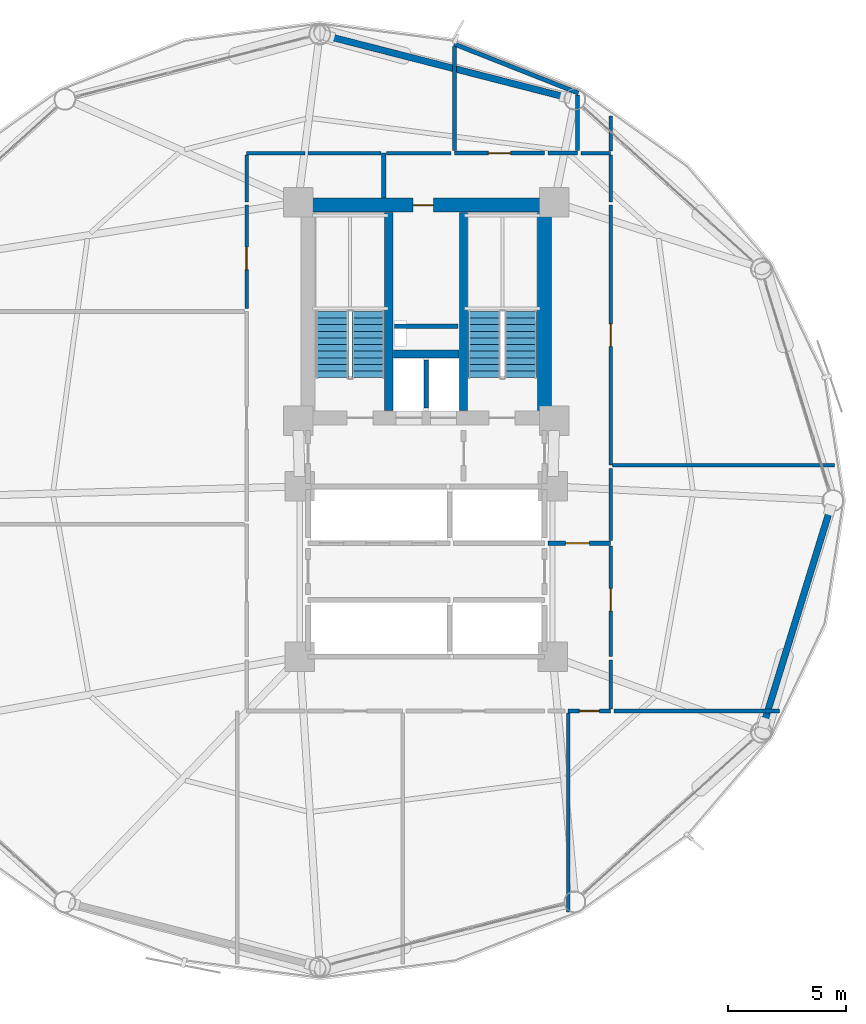
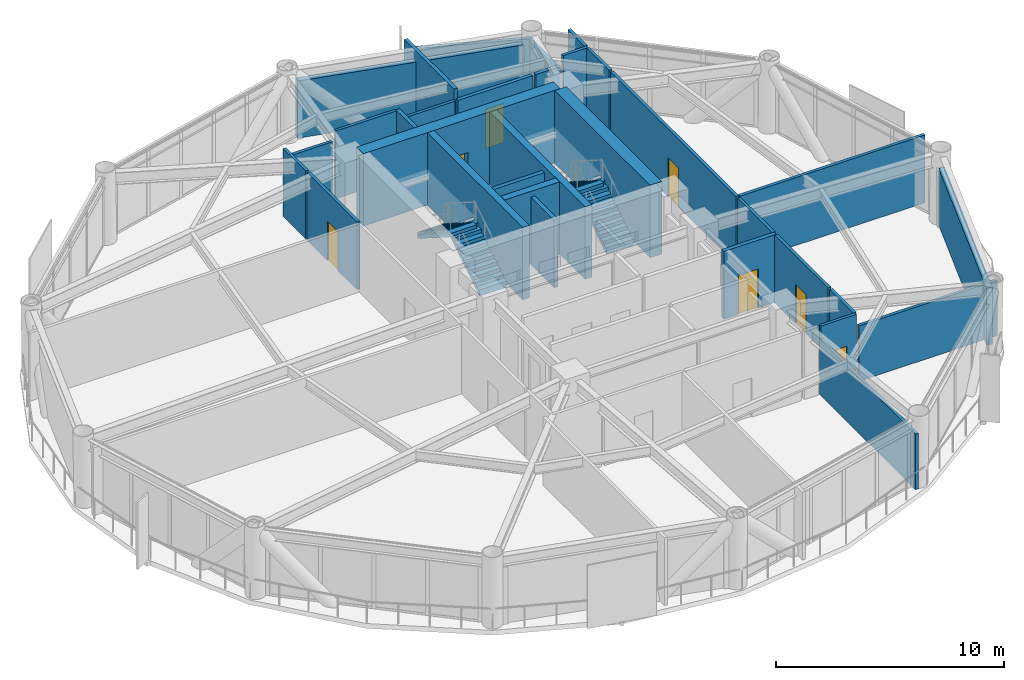
# One storey, part 21 of 25: 32 walls, 7 doors, 4 stair flights, 7 openings, 2 elements without a shape of their own.
"""IFC4 building model written with IfcOpenShell, lengths in metres."""

from ifc_helpers import new_model, si_unit, direction, frame, frame_2d, origin, place, context, subcontext, project, spatial, polyline, rectangle, outline, extrude, material, layer, layer_set, type_object, element, fill, aggregate, save


model = new_model("IFC4")

# Units and contexts
model_context = context("Model", 3, precision=1e-05, world=origin(), true_north=direction((0.0, 1.0)))
body_context = subcontext(model_context, "Body", "Model", "MODEL_VIEW")
ifc_project = project(units=[si_unit("LENGTHUNIT", "METRE"), si_unit("AREAUNIT", "SQUARE_METRE"), si_unit("VOLUMEUNIT", "CUBIC_METRE"), si_unit("PLANEANGLEUNIT", "RADIAN"), si_unit("MASSUNIT", "GRAM", prefix="KILO")], contexts=[model_context])

# Site, building, storey
site_placement = place(None, origin())
site = spatial("IfcSite", under=ifc_project, at=site_placement, CompositionType="ELEMENT")
building_placement = place(site_placement, origin())
building = spatial("IfcBuilding", under=site, at=building_placement, Name="Varnakorn Sky Granary", CompositionType="ELEMENT")
storey_placement = place(building_placement, frame((0.0, 0.0, 70.5)))
storey = spatial("IfcBuildingStorey", under=building, at=storey_placement, Name="L17", CompositionType="ELEMENT", Elevation=70.5)

# Walls
ifc_material_1 = material(Name="Concrete C50/60", Category="concrete")
ifc_layer_1 = layer(ifc_material_1, 0.35009765625, Name="Concrete C50/60")
ifc_layer_set_1 = layer_set([ifc_layer_1], Name="Concrete C50/60")
wall_type_1 = type_object("IfcWallType", Name="WT-CW-INT-350", PredefinedType="SHEAR", material=ifc_layer_set_1)
for number, where, z_axis, x_axis, name in (
    (1, (1.419921875, 3.81005859375, 0.0), (0.0, 0.0, 1.0), (0.0, 1.0, 0.0), "Stair ST-1 Core Wall L17"),
    (2, (4.580078125, 3.81005859375, 0.0), (0.0, 0.0, 1.0), (0.0, 1.0, 0.0), "Stair ST-2 Core Wall L17"),
):
    element("IfcWall", number, at=place(storey_placement, frame(where, z_axis=z_axis, x_axis=x_axis)), inside=storey, type_object=wall_type_1, Name=name, PredefinedType="SHEAR", context=body_context, shape_type="SweptSolid", body=[
        extrude(rectangle(XDim=8.3798828125, YDim=0.35009765625, at=frame_2d((4.18994140625, 0.0))), origin(), (0.0, 0.0, 1.0), 3.89208984375),
    ])
wall_1_placement = place(storey_placement, frame((1.610107421875, 6.199951171875, 0.0), z_axis=(0.0, 0.0, 1.0), x_axis=(1.0, 0.0, 0.0)))
element("IfcWall", 3, at=wall_1_placement, inside=storey, type_object=wall_type_1, Name="Core Lift Shaft Cross Wall L17", PredefinedType="SHEAR", context=body_context, shape_type="SweptSolid", body=[
    extrude(rectangle(XDim=2.77978515625, YDim=0.35009765625, at=frame_2d((1.389892578125, 0.0))), origin(), (0.0, 0.0, 1.0), 3.89208984375),
])

# Wall, opening, door
ifc_material_2 = material(Name="Concrete C60/75", Category="concrete")
ifc_layer_2 = layer(ifc_material_2, 0.60009765625, Name="Concrete C60/75")
ifc_layer_set_2 = layer_set([ifc_layer_2], Name="Concrete C60/75")
wall_type_2 = type_object("IfcWallType", Name="WT-CW-SHEAR-600", PredefinedType="SHEAR", material=ifc_layer_set_2)
wall_2_placement = place(storey_placement, frame((-2.0, 12.5, 0.0), z_axis=(0.0, 0.0, 1.0), x_axis=(1.0, 0.0, 0.0)))
wall_2 = element("IfcWall", 4, at=wall_2_placement, inside=storey, type_object=wall_type_2, Name="Core North Shear Wall L17", PredefinedType="SHEAR", context=body_context, shape_type="SweptSolid", body=[
    extrude(rectangle(XDim=10.0, YDim=0.60009765625, at=frame_2d((5.0, 0.0))), origin(), (0.0, 0.0, 1.0), 3.89208984375),
])
opening_1_placement = place(wall_2_placement, frame((4.449951171875, 0.0, 0.0)))
opening_1 = element("IfcOpeningElement", 5, at=opening_1_placement, cuts=wall_2, Name="Opening FD-60N", PredefinedType="OPENING", context=body_context, shape_type="SweptSolid", body=[
    extrude(rectangle(XDim=0.85009765625, YDim=2.10009765625, at=frame_2d((0.425048828125, 1.050048828125))), frame((0.0, 0.31005859375, 0.0), z_axis=(0.0, -1.0, 0.0), x_axis=(1.0, 0.0, 0.0)), (0.0, 0.0, 1.0), 0.6201171875),
])
ifc_material_3 = material(Name="Acoustic Timber Fire Leaf", Category="wood")
door_type_1 = type_object("IfcDoorType", Name="DR-FD60-850", OperationType="NOTDEFINED", PredefinedType="DOOR", material=ifc_material_3)
door_1_placement = place(opening_1_placement, origin())
door_1 = element("IfcDoor", 6, at=door_1_placement, inside=storey, type_object=door_type_1, Name="Core North Service Door L17", OperationType="SINGLE_SWING_LEFT", OverallHeight=2.10009765625, OverallWidth=0.85009765625, PredefinedType="DOOR", context=body_context, shape_type="SweptSolid", body=[
    extrude(rectangle(XDim=0.85009765625, YDim=2.10009765625, at=frame_2d((0.425048828125, 1.050048828125))), frame((0.0, 0.02490234375, 0.0), z_axis=(0.0, -1.0, 0.0), x_axis=(1.0, 0.0, 0.0)), (0.0, 0.0, 1.0), 0.050048828125),
])
fill(opening_1, door_1)

# Walls
wall_3_placement = place(storey_placement, frame((8.0, 3.81005859375, 0.0), z_axis=(0.0, 0.0, 1.0), x_axis=(0.0, 1.0, 0.0)))
element("IfcWall", 7, at=wall_3_placement, inside=storey, type_object=wall_type_2, Name="Core East Shear Wall L17", PredefinedType="SHEAR", context=body_context, shape_type="SweptSolid", body=[
    extrude(rectangle(XDim=8.3798828125, YDim=0.60009765625, at=frame_2d((4.18994140625, 0.0))), origin(), (0.0, 0.0, 1.0), 3.89208984375),
])
ifc_material_4 = material(Name="Precast concrete C40/50", Category="concrete")
ifc_layer_3 = layer(ifc_material_4, 0.280029296875, Name="Precast concrete C40/50")
ifc_layer_set_3 = layer_set([ifc_layer_3], Name="Precast concrete C40/50")
wall_type_3 = type_object("IfcWallType", Name="WT-EW-CRN-280", PredefinedType="SOLIDWALL", material=ifc_layer_set_3)
wall_4_placement = place(storey_placement, frame((-1.100830078125, 19.626708984375, 0.0), z_axis=(0.0, 0.0, 1.0), x_axis=(0.968748301497, -0.248045819046, 0.0)))
element("IfcWall", 8, at=wall_4_placement, inside=storey, type_object=wall_type_3, Name="Agritech Insulated Precast Facade Wall L17-P03", PredefinedType="SOLIDWALL", context=body_context, shape_type="SweptSolid", body=[
    extrude(rectangle(XDim=10.30322265625, YDim=0.280029296875, at=frame_2d((5.151611328125, 0.0))), origin(), (0.0, 0.0, 1.0), 3.06005859375),
])
wall_5_placement = place(storey_placement, frame((20.072509765625, -0.393798828125, 0.0), z_axis=(0.0, 0.0, 1.0), x_axis=(-0.294895424551, -0.955529533075, 0.0)))
element("IfcWall", 9, at=wall_5_placement, inside=storey, type_object=wall_type_3, Name="Agritech Insulated Precast Facade Wall L17-P12", PredefinedType="SOLIDWALL", context=body_context, shape_type="SweptSolid", body=[
    extrude(rectangle(XDim=9.4287109375, YDim=0.280029296875, at=frame_2d((4.71435546875, 0.0))), origin(), (0.0, 0.0, 1.0), 3.06005859375),
])

# Wall, opening, door
ifc_material_5 = material(Name="Autoclaved Aerated Concrete Blockwork", Category="masonry")
ifc_layer_4 = layer(ifc_material_5, 0.199951171875, Name="Autoclaved Aerated Concrete Blockwork")
ifc_layer_set_4 = layer_set([ifc_layer_4], Name="Autoclaved Aerated Concrete Blockwork")
wall_type_4 = type_object("IfcWallType", Name="WT-FIRE-200", PredefinedType="MOVABLE", material=ifc_layer_set_4)
wall_6_placement = place(storey_placement, frame((8.159912109375, -1.800048828125, 0.0), z_axis=(0.0, 0.0, 1.0), x_axis=(1.0, 0.0, 0.0)))
wall_6 = element("IfcWall", 10, at=wall_6_placement, inside=storey, type_object=wall_type_4, Name="Interior Partition Wall L17-021", PredefinedType="MOVABLE", context=body_context, shape_type="SweptSolid", body=[
    extrude(rectangle(XDim=2.64013671875, YDim=0.199951171875, at=frame_2d((1.320068359375, 0.0))), origin(), (0.0, 0.0, 1.0), 3.639892578125),
])
opening_2_placement = place(wall_6_placement, frame((0.739990234375, 0.0, 0.0)))
opening_2 = element("IfcOpeningElement", 11, at=opening_2_placement, cuts=wall_6, Name="Opening FD-60", PredefinedType="OPENING", context=body_context, shape_type="SweptSolid", body=[
    extrude(rectangle(XDim=1.0, YDim=2.10009765625, at=frame_2d((0.5, 1.050048828125))), frame((0.0, 0.10986328125, 0.0), z_axis=(0.0, -1.0, 0.0), x_axis=(1.0, 0.0, 0.0)), (0.0, 0.0, 1.0), 0.219970703125),
])
door_type_2 = type_object("IfcDoorType", Name="DR-FD60-1000", OperationType="NOTDEFINED", PredefinedType="DOOR", material=ifc_material_3)
door_2_placement = place(opening_2_placement, origin())
door_2 = element("IfcDoor", 12, at=door_2_placement, inside=storey, type_object=door_type_2, Name="Interior Door L17-021-1", OperationType="SINGLE_SWING_LEFT", OverallHeight=2.10009765625, OverallWidth=1.0, PredefinedType="DOOR", context=body_context, shape_type="SweptSolid", body=[
    extrude(rectangle(XDim=1.0, YDim=2.10009765625, at=frame_2d((0.5, 1.050048828125))), frame((0.0, 0.02490234375, 0.0), z_axis=(0.0, -1.0, 0.0), x_axis=(1.0, 0.0, 0.0)), (0.0, 0.0, 1.0), 0.050048828125),
])
fill(opening_2, door_2)

# Wall
wall_7_placement = place(storey_placement, frame((1.199951171875, 14.699951171875, 0.0), z_axis=(0.0, 0.0, 1.0), x_axis=(0.0, -1.0, 0.0)))
element("IfcWall", 13, at=wall_7_placement, inside=storey, type_object=wall_type_4, Name="Interior Partition Wall L17-032", PredefinedType="MOVABLE", context=body_context, shape_type="SweptSolid", body=[
    extrude(rectangle(XDim=1.889892578125, YDim=0.199951171875, at=frame_2d((0.94482421875, 0.0))), origin(), (0.0, 0.0, 1.0), 3.639892578125),
])

# Wall, opening, door
ifc_material_6 = material(Name="Gypsum Plasterboard on Steel Stud", Category="steel")
ifc_layer_5 = layer(ifc_material_6, 0.14990234375, Name="Gypsum Plasterboard on Steel Stud")
ifc_layer_set_5 = layer_set([ifc_layer_5], Name="Gypsum Plasterboard on Steel Stud")
wall_type_5 = type_object("IfcWallType", Name="WT-PART-150", PredefinedType="PARTITIONING", material=ifc_layer_set_5)
wall_8_placement = place(storey_placement, frame((9.0, -8.89990234375, 0.0), z_axis=(0.0, 0.0, 1.0), x_axis=(1.0, 0.0, 0.0)))
wall_8 = element("IfcWall", 14, at=wall_8_placement, inside=storey, type_object=wall_type_5, Name="Interior Partition Wall L17-025", PredefinedType="PARTITIONING", context=body_context, shape_type="SweptSolid", body=[
    extrude(rectangle(XDim=1.800048828125, YDim=0.14990234375, at=frame_2d((0.89990234375, 0.0))), origin(), (0.0, 0.0, 1.0), 3.639892578125),
])
opening_3_placement = place(wall_8_placement, frame((0.47509765625, 0.0, 0.0)))
opening_3 = element("IfcOpeningElement", 15, at=opening_3_placement, cuts=wall_8, Name="Opening ID-85", PredefinedType="OPENING", context=body_context, shape_type="SweptSolid", body=[
    extrude(rectangle(XDim=0.85009765625, YDim=2.10009765625, at=frame_2d((0.425048828125, 1.050048828125))), frame((0.0, 0.0849609375, 0.0), z_axis=(0.0, -1.0, 0.0), x_axis=(1.0, 0.0, 0.0)), (0.0, 0.0, 1.0), 0.169921875),
])
ifc_material_7 = material(Name="Solid-Core Teak Veneer Leaf", Category="timber")
door_type_3 = type_object("IfcDoorType", Name="DR-INT-850", OperationType="NOTDEFINED", PredefinedType="DOOR", material=ifc_material_7)
door_3_placement = place(opening_3_placement, origin())
door_3 = element("IfcDoor", 16, at=door_3_placement, inside=storey, type_object=door_type_3, Name="Interior Door L17-025-1", OperationType="SINGLE_SWING_LEFT", OverallHeight=2.10009765625, OverallWidth=0.85009765625, PredefinedType="DOOR", context=body_context, shape_type="SweptSolid", body=[
    extrude(rectangle(XDim=0.85009765625, YDim=2.10009765625, at=frame_2d((0.425048828125, 1.050048828125))), frame((0.0, 0.02490234375, 0.0), z_axis=(0.0, -1.0, 0.0), x_axis=(1.0, 0.0, 0.0)), (0.0, 0.0, 1.0), 0.050048828125),
])
fill(opening_3, door_3)

wall_9_placement = place(storey_placement, frame((-4.60009765625, 12.5, 0.0), z_axis=(0.0, 0.0, 1.0), x_axis=(0.0, -1.0, 0.0)))
wall_9 = element("IfcWall", 17, at=wall_9_placement, inside=storey, type_object=wall_type_5, Name="Interior Partition Wall L17-028", PredefinedType="PARTITIONING", context=body_context, shape_type="SweptSolid", body=[
    extrude(rectangle(XDim=4.364990234375, YDim=0.14990234375, at=frame_2d((2.1826171875, 0.0))), origin(), (0.0, 0.0, 1.0), 3.639892578125),
])
opening_4_placement = place(wall_9_placement, frame((1.77490234375, 0.0, 0.0)))
opening_4 = element("IfcOpeningElement", 18, at=opening_4_placement, cuts=wall_9, Name="Opening ID-95", PredefinedType="OPENING", context=body_context, shape_type="SweptSolid", body=[
    extrude(rectangle(XDim=0.949951171875, YDim=2.10009765625, at=frame_2d((0.47509765625, 1.050048828125))), frame((0.0, 0.0849609375, 0.0), z_axis=(0.0, -1.0, 0.0), x_axis=(1.0, 0.0, 0.0)), (0.0, 0.0, 1.0), 0.169921875),
])
door_type_4 = type_object("IfcDoorType", Name="DR-INT-950", OperationType="NOTDEFINED", PredefinedType="DOOR", material=ifc_material_7)
door_4_placement = place(opening_4_placement, origin())
door_4 = element("IfcDoor", 19, at=door_4_placement, inside=storey, type_object=door_type_4, Name="Interior Door L17-028-1", OperationType="SINGLE_SWING_RIGHT", OverallHeight=2.10009765625, OverallWidth=0.949951171875, PredefinedType="DOOR", context=body_context, shape_type="SweptSolid", body=[
    extrude(rectangle(XDim=0.949951171875, YDim=2.10009765625, at=frame_2d((0.47509765625, 1.050048828125))), frame((0.0, 0.02490234375, 0.0), z_axis=(0.0, -1.0, 0.0), x_axis=(1.0, 0.0, 0.0)), (0.0, 0.0, 1.0), 0.050048828125),
])
fill(opening_4, door_4)

wall_10_placement = place(storey_placement, frame((10.800048828125, -6.60009765625, 0.0), z_axis=(0.0, 0.0, 1.0), x_axis=(0.0, 1.0, 0.0)))
wall_10 = element("IfcWall", 20, at=wall_10_placement, inside=storey, type_object=wall_type_5, Name="Interior Partition Wall L17-029", PredefinedType="PARTITIONING", context=body_context, shape_type="SweptSolid", body=[
    extrude(rectangle(XDim=4.690185546875, YDim=0.14990234375, at=frame_2d((2.34521484375, 0.0))), origin(), (0.0, 0.0, 1.0), 3.639892578125),
])
opening_5_placement = place(wall_10_placement, frame((1.925048828125, 0.0, 0.0)))
opening_5 = element("IfcOpeningElement", 21, at=opening_5_placement, cuts=wall_10, Name="Opening ID-95", PredefinedType="OPENING", context=body_context, shape_type="SweptSolid", body=[
    extrude(rectangle(XDim=0.949951171875, YDim=2.10009765625, at=frame_2d((0.47509765625, 1.050048828125))), frame((0.0, 0.0849609375, 0.0), z_axis=(0.0, -1.0, 0.0), x_axis=(1.0, 0.0, 0.0)), (0.0, 0.0, 1.0), 0.169921875),
])
door_5_placement = place(opening_5_placement, origin())
door_5 = element("IfcDoor", 22, at=door_5_placement, inside=storey, type_object=door_type_4, Name="Interior Door L17-029-1", OperationType="SINGLE_SWING_LEFT", OverallHeight=2.10009765625, OverallWidth=0.949951171875, PredefinedType="DOOR", context=body_context, shape_type="SweptSolid", body=[
    extrude(rectangle(XDim=0.949951171875, YDim=2.10009765625, at=frame_2d((0.47509765625, 1.050048828125))), frame((0.0, 0.02490234375, 0.0), z_axis=(0.0, -1.0, 0.0), x_axis=(1.0, 0.0, 0.0)), (0.0, 0.0, 1.0), 0.050048828125),
])
fill(opening_5, door_5)

wall_11_placement = place(storey_placement, frame((10.800048828125, 1.5, 0.0), z_axis=(0.0, 0.0, 1.0), x_axis=(0.0, 1.0, 0.0)))
wall_11 = element("IfcWall", 23, at=wall_11_placement, inside=storey, type_object=wall_type_5, Name="Interior Partition Wall L17-030", PredefinedType="PARTITIONING", context=body_context, shape_type="SweptSolid", body=[
    extrude(rectangle(XDim=11.0, YDim=0.14990234375, at=frame_2d((5.5, 0.0))), origin(), (0.0, 0.0, 1.0), 3.639892578125),
])
opening_6_placement = place(wall_11_placement, frame((5.02490234375, 0.0, 0.0)))
opening_6 = element("IfcOpeningElement", 24, at=opening_6_placement, cuts=wall_11, Name="Opening ID-95", PredefinedType="OPENING", context=body_context, shape_type="SweptSolid", body=[
    extrude(rectangle(XDim=0.949951171875, YDim=2.10009765625, at=frame_2d((0.47509765625, 1.050048828125))), frame((0.0, 0.0849609375, 0.0), z_axis=(0.0, -1.0, 0.0), x_axis=(1.0, 0.0, 0.0)), (0.0, 0.0, 1.0), 0.169921875),
])
door_6_placement = place(opening_6_placement, origin())
door_6 = element("IfcDoor", 25, at=door_6_placement, inside=storey, type_object=door_type_4, Name="Interior Door L17-030-1", OperationType="SINGLE_SWING_RIGHT", OverallHeight=2.10009765625, OverallWidth=0.949951171875, PredefinedType="DOOR", context=body_context, shape_type="SweptSolid", body=[
    extrude(rectangle(XDim=0.949951171875, YDim=2.10009765625, at=frame_2d((0.47509765625, 1.050048828125))), frame((0.0, 0.02490234375, 0.0), z_axis=(0.0, -1.0, 0.0), x_axis=(1.0, 0.0, 0.0)), (0.0, 0.0, 1.0), 0.050048828125),
])
fill(opening_6, door_6)

# Walls
wall_12_placement = place(storey_placement, frame((9.0, -8.985107421875, 0.0), z_axis=(0.0, 0.0, 1.0), x_axis=(0.0, -1.0, 0.0)))
element("IfcWall", 26, at=wall_12_placement, inside=storey, type_object=wall_type_5, Name="Interior Partition Wall L17-038", PredefinedType="PARTITIONING", context=body_context, shape_type="SweptSolid", body=[
    extrude(rectangle(XDim=8.423828125, YDim=0.14990234375, at=frame_2d((4.2119140625, 0.0))), origin(), (0.0, 0.0, 1.0), 2.971923828125),
])
wall_13_placement = place(storey_placement, frame((10.93505859375, -8.89990234375, 0.0), z_axis=(0.0, 0.0, 1.0), x_axis=(1.0, 0.0, 0.0)))
element("IfcWall", 27, at=wall_13_placement, inside=storey, type_object=wall_type_5, Name="Interior Partition Wall L17-039", PredefinedType="PARTITIONING", context=body_context, shape_type="SweptSolid", body=[
    extrude(rectangle(XDim=7.00390625, YDim=0.14990234375, at=frame_2d((3.501953125, 0.0))), origin(), (0.0, 0.0, 1.0), 2.971923828125),
])
wall_14_placement = place(storey_placement, frame((1.090087890625, 14.699951171875, 0.0), z_axis=(0.0, 0.0, 1.0), x_axis=(-1.0, 0.0, 0.0)))
element("IfcWall", 28, at=wall_14_placement, inside=storey, type_object=wall_type_5, Name="Interior Partition Wall L17-043", PredefinedType="PARTITIONING", context=body_context, shape_type="SweptSolid", body=[
    extrude(rectangle(XDim=3.090087890625, YDim=0.14990234375, at=frame_2d((1.544921875, 0.0))), origin(), (0.0, 0.0, 1.0), 3.639892578125),
])
wall_15_placement = place(storey_placement, frame((-2.135009765625, 14.699951171875, 0.0), z_axis=(0.0, 0.0, 1.0), x_axis=(-1.0, 0.0, 0.0)))
element("IfcWall", 29, at=wall_15_placement, inside=storey, type_object=wall_type_5, Name="Interior Partition Wall L17-044", PredefinedType="PARTITIONING", context=body_context, shape_type="SweptSolid", body=[
    extrude(rectangle(XDim=2.465087890625, YDim=0.14990234375, at=frame_2d((1.232421875, 0.0))), origin(), (0.0, 0.0, 1.0), 3.1220703125),
])
wall_16_placement = place(storey_placement, frame((-4.60009765625, 14.614990234375, 0.0), z_axis=(0.0, 0.0, 1.0), x_axis=(0.0, -1.0, 0.0)))
element("IfcWall", 30, at=wall_16_placement, inside=storey, type_object=wall_type_5, Name="Interior Partition Wall L17-045", PredefinedType="PARTITIONING", context=body_context, shape_type="SweptSolid", body=[
    extrude(rectangle(XDim=1.97998046875, YDim=0.14990234375, at=frame_2d((0.989990234375, 0.0))), origin(), (0.0, 0.0, 1.0), 3.639892578125),
])
wall_17_placement = place(storey_placement, frame((10.800048828125, 14.699951171875, 0.0), z_axis=(0.0, 0.0, 1.0), x_axis=(-1.0, 0.0, 0.0)))
element("IfcWall", 31, at=wall_17_placement, inside=storey, type_object=wall_type_5, Name="Interior Partition Wall L17-046", PredefinedType="PARTITIONING", context=body_context, shape_type="SweptSolid", body=[
    extrude(rectangle(XDim=1.25, YDim=0.14990234375, at=frame_2d((0.625, 0.0))), origin(), (0.0, 0.0, 1.0), 3.639892578125),
])
wall_18_placement = place(storey_placement, frame((4.050048828125, 14.699951171875, 0.0), z_axis=(0.0, 0.0, 1.0), x_axis=(-1.0, 0.0, 0.0)))
element("IfcWall", 32, at=wall_18_placement, inside=storey, type_object=wall_type_5, Name="Interior Partition Wall L17-047", PredefinedType="PARTITIONING", context=body_context, shape_type="SweptSolid", body=[
    extrude(rectangle(XDim=2.739990234375, YDim=0.14990234375, at=frame_2d((1.3701171875, 0.0))), origin(), (0.0, 0.0, 1.0), 3.1220703125),
])
wall_19_placement = place(storey_placement, frame((10.800048828125, 16.26708984375, 0.0), z_axis=(0.0, 0.0, 1.0), x_axis=(0.0, -1.0, 0.0)))
element("IfcWall", 33, at=wall_19_placement, inside=storey, type_object=wall_type_5, Name="Interior Partition Wall L17-051", PredefinedType="PARTITIONING", context=body_context, shape_type="SweptSolid", body=[
    extrude(rectangle(XDim=1.482177734375, YDim=0.14990234375, at=frame_2d((0.7412109375, 0.0))), origin(), (0.0, 0.0, 1.0), 3.639892578125),
])
wall_20_placement = place(storey_placement, frame((10.800048828125, -8.81494140625, 0.0), z_axis=(0.0, 0.0, 1.0), x_axis=(0.0, 1.0, 0.0)))
element("IfcWall", 34, at=wall_20_placement, inside=storey, type_object=wall_type_5, Name="Interior Partition Wall L17-052", PredefinedType="PARTITIONING", context=body_context, shape_type="SweptSolid", body=[
    extrude(rectangle(XDim=2.079833984375, YDim=0.14990234375, at=frame_2d((1.0400390625, 0.0))), origin(), (0.0, 0.0, 1.0), 3.639892578125),
])
wall_21_placement = place(storey_placement, frame((10.800048828125, -1.68994140625, 0.0), z_axis=(0.0, 0.0, 1.0), x_axis=(0.0, 1.0, 0.0)))
element("IfcWall", 35, at=wall_21_placement, inside=storey, type_object=wall_type_5, Name="Interior Partition Wall L17-053", PredefinedType="PARTITIONING", context=body_context, shape_type="SweptSolid", body=[
    extrude(rectangle(XDim=3.054931640625, YDim=0.14990234375, at=frame_2d((1.52734375, 0.0))), origin(), (0.0, 0.0, 1.0), 3.639892578125),
])
wall_22_placement = place(storey_placement, frame((10.885009765625, 1.5, 0.0), z_axis=(0.0, 0.0, 1.0), x_axis=(1.0, 0.0, 0.0)))
element("IfcWall", 36, at=wall_22_placement, inside=storey, type_object=wall_type_5, Name="Interior Partition Wall L17-054", PredefinedType="PARTITIONING", context=body_context, shape_type="SweptSolid", body=[
    extrude(rectangle(XDim=9.388916015625, YDim=0.14990234375, at=frame_2d((4.6943359375, 0.0))), origin(), (0.0, 0.0, 1.0), 3.639892578125),
])
wall_23_placement = place(storey_placement, frame((10.800048828125, 12.635009765625, 0.0), z_axis=(0.0, 0.0, 1.0), x_axis=(0.0, 1.0, 0.0)))
element("IfcWall", 37, at=wall_23_placement, inside=storey, type_object=wall_type_5, Name="Interior Partition Wall L17-055", PredefinedType="PARTITIONING", context=body_context, shape_type="SweptSolid", body=[
    extrude(rectangle(XDim=1.97998046875, YDim=0.14990234375, at=frame_2d((0.989990234375, 0.0))), origin(), (0.0, 0.0, 1.0), 3.639892578125),
])

# Wall, opening, door
ifc_material_8 = material(Name="Moisture-Resistant Gypsum on Stud", Category="gypsum")
ifc_layer_6 = layer(ifc_material_8, 0.179931640625, Name="Moisture-Resistant Gypsum on Stud")
ifc_layer_set_6 = layer_set([ifc_layer_6], Name="Moisture-Resistant Gypsum on Stud")
wall_type_6 = type_object("IfcWallType", Name="WT-PLUMB-180", PredefinedType="PLUMBINGWALL", material=ifc_layer_set_6)
wall_24_placement = place(storey_placement, frame((8.0, 14.699951171875, 0.0), z_axis=(0.0, 0.0, 1.0), x_axis=(-1.0, 0.0, 0.0)))
wall_24 = element("IfcWall", 38, at=wall_24_placement, inside=storey, type_object=wall_type_6, Name="Interior Partition Wall L17-022", PredefinedType="PLUMBINGWALL", context=body_context, shape_type="SweptSolid", body=[
    extrude(rectangle(XDim=3.800048828125, YDim=0.179931640625, at=frame_2d((1.89990234375, 0.0))), origin(), (0.0, 0.0, 1.0), 3.1220703125),
])
opening_7_placement = place(wall_24_placement, frame((1.425048828125, 0.0, 0.0)))
opening_7 = element("IfcOpeningElement", 39, at=opening_7_placement, cuts=wall_24, Name="Opening ID-95", PredefinedType="OPENING", context=body_context, shape_type="SweptSolid", body=[
    extrude(rectangle(XDim=0.949951171875, YDim=2.10009765625, at=frame_2d((0.47509765625, 1.050048828125))), frame((0.0, 0.10009765625, 0.0), z_axis=(0.0, -1.0, 0.0), x_axis=(1.0, 0.0, 0.0)), (0.0, 0.0, 1.0), 0.199951171875),
])
door_7_placement = place(opening_7_placement, origin())
door_7 = element("IfcDoor", 40, at=door_7_placement, inside=storey, type_object=door_type_4, Name="Interior Door L17-022-1", OperationType="SINGLE_SWING_RIGHT", OverallHeight=2.10009765625, OverallWidth=0.949951171875, PredefinedType="DOOR", context=body_context, shape_type="SweptSolid", body=[
    extrude(rectangle(XDim=0.949951171875, YDim=2.10009765625, at=frame_2d((0.47509765625, 1.050048828125))), frame((0.0, 0.02490234375, 0.0), z_axis=(0.0, -1.0, 0.0), x_axis=(1.0, 0.0, 0.0)), (0.0, 0.0, 1.0), 0.050048828125),
])
fill(opening_7, door_7)

# Walls
wall_25_placement = place(storey_placement, frame((9.39990234375, 14.699951171875, 0.0), z_axis=(0.0, 0.0, 1.0), x_axis=(-1.0, 0.0, 0.0)))
element("IfcWall", 41, at=wall_25_placement, inside=storey, type_object=wall_type_6, Name="Interior Partition Wall L17-033", PredefinedType="PLUMBINGWALL", context=body_context, shape_type="SweptSolid", body=[
    extrude(rectangle(XDim=1.25, YDim=0.179931640625, at=frame_2d((0.625, 0.0))), origin(), (0.0, 0.0, 1.0), 3.1220703125),
])
wall_26_placement = place(storey_placement, frame((4.18310546875, 19.31298828125, 0.0), z_axis=(0.0, 0.0, 1.0), x_axis=(0.92996312676, -0.367652802066, 0.0)))
element("IfcWall", 42, at=wall_26_placement, inside=storey, type_object=wall_type_6, Name="Interior Partition Wall L17-048", PredefinedType="PLUMBINGWALL", context=body_context, shape_type="SweptSolid", body=[
    extrude(rectangle(XDim=5.646484375, YDim=0.179931640625, at=frame_2d((2.8232421875, 0.0))), origin(), (0.0, 0.0, 1.0), 3.072021484375),
])
wall_27_placement = place(storey_placement, frame((9.39990234375, 14.800048828125, 0.0), z_axis=(0.0, 0.0, 1.0), x_axis=(0.0, 1.0, 0.0)))
element("IfcWall", 43, at=wall_27_placement, inside=storey, type_object=wall_type_6, Name="Interior Partition Wall L17-049", PredefinedType="PLUMBINGWALL", context=body_context, shape_type="SweptSolid", body=[
    extrude(rectangle(XDim=2.350830078125, YDim=0.179931640625, at=frame_2d((1.17529296875, 0.0))), origin(), (0.0, 0.0, 1.0), 2.971923828125),
])
wall_28_placement = place(storey_placement, frame((4.199951171875, 19.2060546875, 0.0), z_axis=(0.0, 0.0, 1.0), x_axis=(0.0, -1.0, 0.0)))
element("IfcWall", 44, at=wall_28_placement, inside=storey, type_object=wall_type_6, Name="Interior Partition Wall L17-050", PredefinedType="PLUMBINGWALL", context=body_context, shape_type="SweptSolid", body=[
    extrude(rectangle(XDim=4.406005859375, YDim=0.179931640625, at=frame_2d((2.203125, 0.0))), origin(), (0.0, 0.0, 1.0), 3.639892578125),
])
ifc_layer_7 = layer(ifc_material_5, 0.199951171875, Name="Autoclaved Aerated Concrete Blockwork")
ifc_layer_set_7 = layer_set([ifc_layer_7], Name="Autoclaved Aerated Concrete Blockwork")
wall_type_7 = type_object("IfcWallType", Name="WT-SHAFT-200", PredefinedType="SOLIDWALL", material=ifc_layer_set_7)
wall_29_placement = place(storey_placement, frame((3.0, 3.919921875, 0.0), z_axis=(0.0, 0.0, 1.0), x_axis=(0.0, 1.0, 0.0)))
element("IfcWall", 45, at=wall_29_placement, inside=storey, type_object=wall_type_7, Name="Interior Partition Wall L17-001", PredefinedType="SOLIDWALL", context=body_context, shape_type="SweptSolid", body=[
    extrude(rectangle(XDim=2.030029296875, YDim=0.199951171875, at=frame_2d((1.01513671875, 0.0))), origin(), (0.0, 0.0, 1.0), 3.639892578125),
])
wall_30_placement = place(storey_placement, frame((1.64990234375, 7.3798828125, 0.0), z_axis=(0.0, 0.0, 1.0), x_axis=(1.0, 0.0, 0.0)))
element("IfcWall", 46, at=wall_30_placement, inside=storey, type_object=wall_type_7, Name="Interior Partition Wall L17-002", PredefinedType="SOLIDWALL", context=body_context, shape_type="SweptSolid", body=[
    extrude(rectangle(XDim=2.7001953125, YDim=0.199951171875, at=frame_2d((1.35009765625, 0.0))), origin(), (0.0, 0.0, 1.0), 3.639892578125),
])

# Stair, stair flights
ifc_material_9 = material(Name="Concrete C40/50", Category="concrete")
stair_type = type_object("IfcStairType", Name="ST-MAIN-ASSEMBLY", PredefinedType="HALF_TURN_STAIR", material=ifc_material_9)
stair_1_placement = place(storey_placement, origin())
stair_1 = element("IfcStair", 47, at=stair_1_placement, inside=storey, type_object=stair_type, Name="L17 Protected Exit Stair ST-1", PredefinedType="HALF_TURN_STAIR")
stair_flight_type = type_object("IfcStairFlightType", Name="ST-MAIN-FLIGHT", PredefinedType="STRAIGHT", material=ifc_material_9)
stair_flight_1_placement = place(storey_placement, frame((0.550048828125, 5.199951171875, 0.0), z_axis=(0.0, 0.0, 1.0), x_axis=(0.0, 1.0, 0.0)))
stair_flight_1 = element("IfcStairFlight", 48, at=stair_flight_1_placement, type_object=stair_flight_type, Name="ST-1 flight 1", NumberOfRisers=11, NumberOfTreads=10, PredefinedType="STRAIGHT", RiserHeight=0.177272727, TreadLength=0.28, context=body_context, shape_type="SweptSolid", body=[
    extrude(outline(polyline([(0.0, -0.14990234375), (0.0, 0.0), (0.0, 0.17724609375), (0.280029296875, 0.17724609375), (0.280029296875, 0.3544921875), (0.56005859375, 0.3544921875), (0.56005859375, 0.53173828125), (0.840087890625, 0.53173828125), (0.840087890625, 0.708984375), (1.1201171875, 0.708984375), (1.1201171875, 0.886474609375), (1.39990234375, 0.886474609375), (1.39990234375, 1.063720703125), (1.679931640625, 1.063720703125), (1.679931640625, 1.240966796875), (1.9599609375, 1.240966796875), (1.9599609375, 1.418212890625), (2.239990234375, 1.418212890625), (2.239990234375, 1.595458984375), (2.52001953125, 1.595458984375), (2.52001953125, 1.772705078125), (2.800048828125, 1.772705078125), (2.800048828125, 1.949951171875), (2.800048828125, 1.59521484375), (0.050048828125, -0.14990234375), (0.0, -0.14990234375)])), frame((0.0, 0.68994140625, 0.0), z_axis=(0.0, -1.0, 0.0), x_axis=(1.0, 0.0, 0.0)), (0.0, 0.0, 1.0), 1.3798828125),
])
stair_flight_2_placement = place(storey_placement, frame((-0.97998046875, 8.0, 1.949951171875), z_axis=(0.0, 0.0, 1.0), x_axis=(0.0, -1.0, 0.0)))
stair_flight_2 = element("IfcStairFlight", 49, at=stair_flight_2_placement, type_object=stair_flight_type, Name="ST-1 flight 2", NumberOfRisers=11, NumberOfTreads=10, PredefinedType="STRAIGHT", RiserHeight=0.177272727, TreadLength=0.28, context=body_context, shape_type="SweptSolid", body=[
    extrude(outline(polyline([(0.0, -0.14990234375), (0.0, 0.0), (0.0, 0.17724609375), (0.280029296875, 0.17724609375), (0.280029296875, 0.3544921875), (0.56005859375, 0.3544921875), (0.56005859375, 0.53173828125), (0.840087890625, 0.53173828125), (0.840087890625, 0.708984375), (1.1201171875, 0.708984375), (1.1201171875, 0.886474609375), (1.39990234375, 0.886474609375), (1.39990234375, 1.063720703125), (1.679931640625, 1.063720703125), (1.679931640625, 1.240966796875), (1.9599609375, 1.240966796875), (1.9599609375, 1.418212890625), (2.239990234375, 1.418212890625), (2.239990234375, 1.595458984375), (2.52001953125, 1.595458984375), (2.52001953125, 1.772705078125), (2.800048828125, 1.772705078125), (2.800048828125, 1.949951171875), (2.800048828125, 1.59521484375), (0.050048828125, -0.14990234375), (0.0, -0.14990234375)])), frame((0.0, 0.68994140625, 0.0), z_axis=(0.0, -1.0, 0.0), x_axis=(1.0, 0.0, 0.0)), (0.0, 0.0, 1.0), 1.3798828125),
])
aggregate(stair_1, [stair_flight_1, stair_flight_2])

stair_2_placement = place(storey_placement, origin())
stair_2 = element("IfcStair", 50, at=stair_2_placement, inside=storey, type_object=stair_type, Name="L17 Protected Exit Stair ST-2", PredefinedType="HALF_TURN_STAIR")
stair_flight_3_placement = place(storey_placement, frame((6.989990234375, 5.199951171875, 0.0), z_axis=(0.0, 0.0, 1.0), x_axis=(0.0, 1.0, 0.0)))
stair_flight_3 = element("IfcStairFlight", 51, at=stair_flight_3_placement, type_object=stair_flight_type, Name="ST-2 flight 1", NumberOfRisers=11, NumberOfTreads=10, PredefinedType="STRAIGHT", RiserHeight=0.177272727, TreadLength=0.28, context=body_context, shape_type="SweptSolid", body=[
    extrude(outline(polyline([(0.0, -0.14990234375), (0.0, 0.0), (0.0, 0.17724609375), (0.280029296875, 0.17724609375), (0.280029296875, 0.3544921875), (0.56005859375, 0.3544921875), (0.56005859375, 0.53173828125), (0.840087890625, 0.53173828125), (0.840087890625, 0.708984375), (1.1201171875, 0.708984375), (1.1201171875, 0.886474609375), (1.39990234375, 0.886474609375), (1.39990234375, 1.063720703125), (1.679931640625, 1.063720703125), (1.679931640625, 1.240966796875), (1.9599609375, 1.240966796875), (1.9599609375, 1.418212890625), (2.239990234375, 1.418212890625), (2.239990234375, 1.595458984375), (2.52001953125, 1.595458984375), (2.52001953125, 1.772705078125), (2.800048828125, 1.772705078125), (2.800048828125, 1.949951171875), (2.800048828125, 1.59521484375), (0.050048828125, -0.14990234375), (0.0, -0.14990234375)])), frame((0.0, 0.68994140625, 0.0), z_axis=(0.0, -1.0, 0.0), x_axis=(1.0, 0.0, 0.0)), (0.0, 0.0, 1.0), 1.3798828125),
])
stair_flight_4_placement = place(storey_placement, frame((5.4599609375, 8.0, 1.949951171875), z_axis=(0.0, 0.0, 1.0), x_axis=(0.0, -1.0, 0.0)))
stair_flight_4 = element("IfcStairFlight", 52, at=stair_flight_4_placement, type_object=stair_flight_type, Name="ST-2 flight 2", NumberOfRisers=11, NumberOfTreads=10, PredefinedType="STRAIGHT", RiserHeight=0.177272727, TreadLength=0.28, context=body_context, shape_type="SweptSolid", body=[
    extrude(outline(polyline([(0.0, -0.14990234375), (0.0, 0.0), (0.0, 0.17724609375), (0.280029296875, 0.17724609375), (0.280029296875, 0.3544921875), (0.56005859375, 0.3544921875), (0.56005859375, 0.53173828125), (0.840087890625, 0.53173828125), (0.840087890625, 0.708984375), (1.1201171875, 0.708984375), (1.1201171875, 0.886474609375), (1.39990234375, 0.886474609375), (1.39990234375, 1.063720703125), (1.679931640625, 1.063720703125), (1.679931640625, 1.240966796875), (1.9599609375, 1.240966796875), (1.9599609375, 1.418212890625), (2.239990234375, 1.418212890625), (2.239990234375, 1.595458984375), (2.52001953125, 1.595458984375), (2.52001953125, 1.772705078125), (2.800048828125, 1.772705078125), (2.800048828125, 1.949951171875), (2.800048828125, 1.59521484375), (0.050048828125, -0.14990234375), (0.0, -0.14990234375)])), frame((0.0, 0.68994140625, 0.0), z_axis=(0.0, -1.0, 0.0), x_axis=(1.0, 0.0, 0.0)), (0.0, 0.0, 1.0), 1.3798828125),
])
aggregate(stair_2, [stair_flight_3, stair_flight_4])

save(model, "model.ifc")
